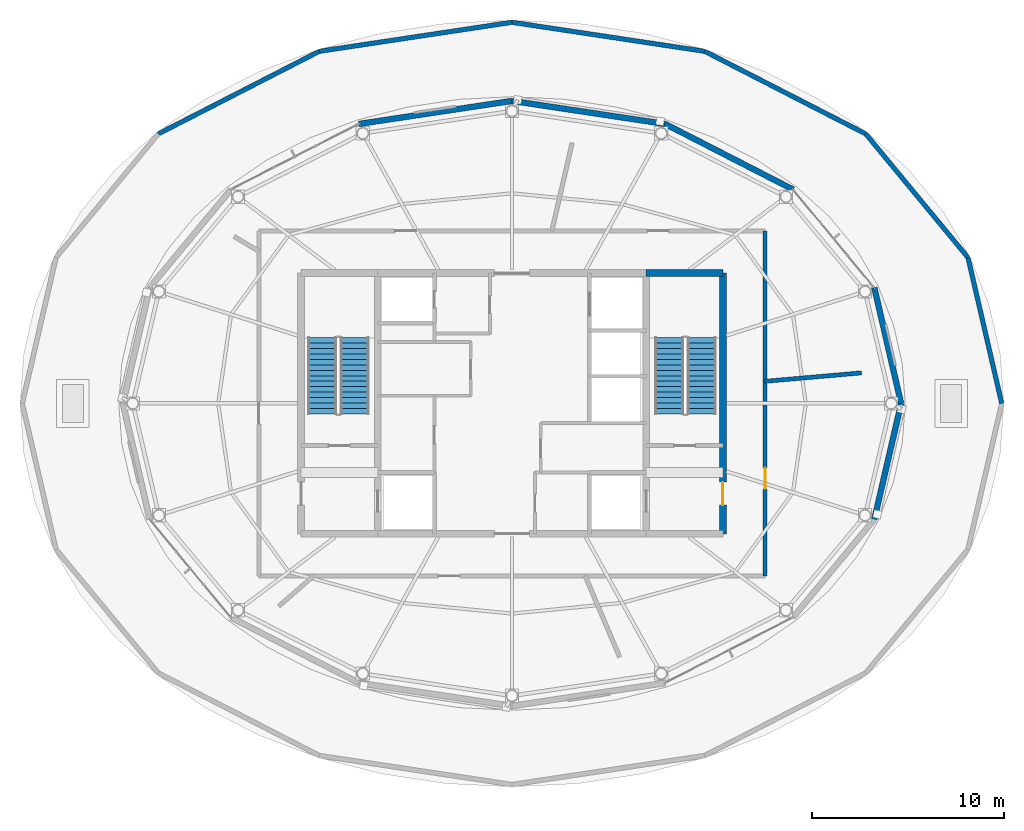
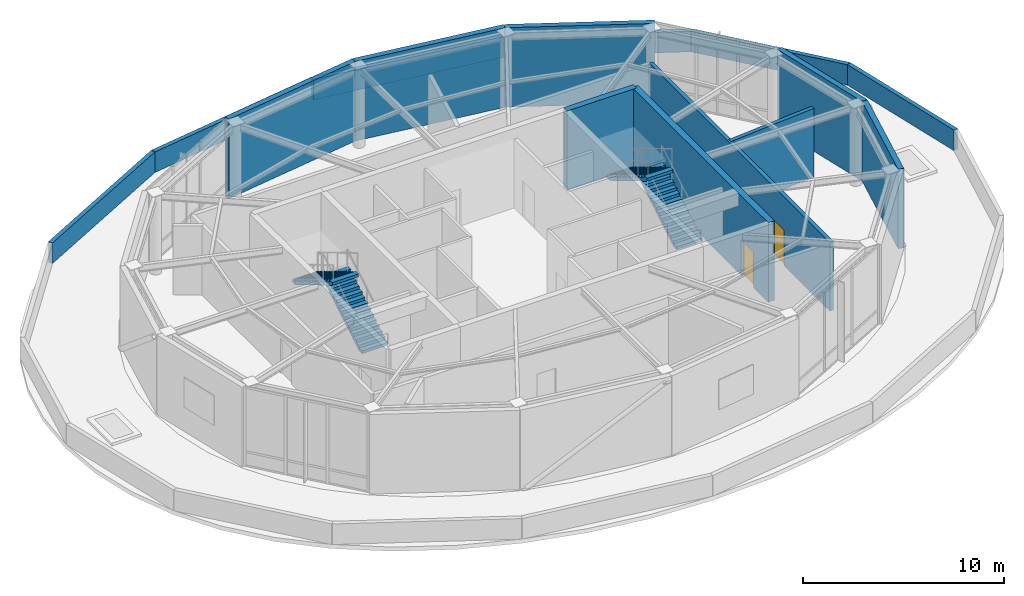
# One storey, part 14 of 15: 15 walls, 4 stair flights, 2 doors, 2 openings, 2 elements without a shape of their own.
"""IFC4 building model written with IfcOpenShell, lengths in metres."""

from ifc_helpers import new_model, si_unit, direction, frame, frame_2d, origin, place, context, subcontext, project, spatial, polyline, rectangle, outline, extrude, material, layer, layer_set, type_object, element, fill, aggregate, save


model = new_model("IFC4")

# Units and contexts
model_context = context("Model", 3, precision=1e-05, world=origin(), true_north=direction((0.0, 1.0)))
body_context = subcontext(model_context, "Body", "Model", "MODEL_VIEW")
ifc_project = project(units=[si_unit("LENGTHUNIT", "METRE"), si_unit("AREAUNIT", "SQUARE_METRE"), si_unit("VOLUMEUNIT", "CUBIC_METRE"), si_unit("PLANEANGLEUNIT", "RADIAN"), si_unit("MASSUNIT", "GRAM", prefix="KILO")], contexts=[model_context])

# Site, building, storey
site_placement = place(None, origin())
site = spatial("IfcSite", under=ifc_project, at=site_placement, CompositionType="ELEMENT")
building_placement = place(site_placement, origin())
building = spatial("IfcBuilding", under=site, at=building_placement, Name="Sarneth Arch Tower", CompositionType="ELEMENT")
storey_placement = place(building_placement, frame((0.0, 0.0, 316.5)))
storey = spatial("IfcBuildingStorey", under=building, at=storey_placement, Name="L82", CompositionType="ELEMENT", Elevation=316.5)

# Wall
ifc_material_1 = material(Name="Concrete C50/60", Category="concrete")
ifc_layer_1 = layer(ifc_material_1, 0.35009765625)
ifc_layer_set_1 = layer_set([ifc_layer_1], Name="Concrete C50/60")
wall_type_1 = type_object("IfcWallType", Name="WALL-CORE-350", PredefinedType="SHEAR", material=ifc_layer_set_1)
wall_1_placement = place(storey_placement, frame((55.0, 48.800048828125, 0.0), z_axis=(0.0, 0.0, 1.0), x_axis=(1.0, 0.0, 0.0)))
element("IfcWall", 1, at=wall_1_placement, inside=storey, type_object=wall_type_1, Name="L82 Core shear wall N-E", PredefinedType="SHEAR", context=body_context, shape_type="SweptSolid", body=[
    extrude(rectangle(XDim=4.0, YDim=0.35009765625, at=frame_2d((2.0, 0.0))), origin(), (0.0, 0.0, 1.0), 4.840087890625),
])

# Wall, opening, door
wall_2_placement = place(storey_placement, frame((59.0, 35.199951171875, 0.0), z_axis=(0.0, 0.0, 1.0), x_axis=(0.0, 1.0, 0.0)))
wall_2 = element("IfcWall", 2, at=wall_2_placement, inside=storey, type_object=wall_type_1, Name="L82 Core shear wall E", PredefinedType="SHEAR", context=body_context, shape_type="SweptSolid", body=[
    extrude(rectangle(XDim=13.60009765625, YDim=0.35009765625, at=frame_2d((6.800048828125, 0.0))), origin(), (0.0, 0.0, 1.0), 4.840087890625),
])
opening_1_placement = place(wall_2_placement, frame((1.5, 0.0, 0.0)))
opening_1 = element("IfcOpeningElement", 3, at=opening_1_placement, cuts=wall_2, Name="Opening FD-02", PredefinedType="OPENING", context=body_context, shape_type="SweptSolid", body=[
    extrude(rectangle(XDim=1.199951171875, YDim=2.14990234375, at=frame_2d((0.60009765625, 1.074951171875))), frame((0.0, 0.18505859375, 0.0), z_axis=(0.0, -1.0, 0.0), x_axis=(1.0, 0.0, 0.0)), (0.0, 0.0, 1.0), 0.3701171875),
])
ifc_material_2 = material(Name="Galvanised Steel S275 fire door set", Category="steel")
door_type_1 = type_object("IfcDoorType", Name="DR-FD90-1200", OperationType="SINGLE_SWING_LEFT", PredefinedType="DOOR", material=ifc_material_2)
door_1_placement = place(opening_1_placement, origin())
door_1 = element("IfcDoor", 4, at=door_1_placement, inside=storey, type_object=door_type_1, Name="L82 Firefighting lobby 2 exit door", OperationType="SINGLE_SWING_RIGHT", OverallHeight=2.14990234375, OverallWidth=1.199951171875, PredefinedType="DOOR", context=body_context, shape_type="SweptSolid", body=[
    extrude(rectangle(XDim=1.199951171875, YDim=2.14990234375, at=frame_2d((0.60009765625, 1.074951171875))), frame((0.0, 0.02490234375, 0.0), z_axis=(0.0, -1.0, 0.0), x_axis=(1.0, 0.0, 0.0)), (0.0, 0.0, 1.0), 0.050048828125),
])
fill(opening_1, door_1)

# Walls
ifc_material_3 = material(Name="Extruded terracotta rainscreen on Concrete C40/50 backing", Category="masonry")
ifc_layer_2 = layer(ifc_material_3, 0.300048828125)
ifc_layer_set_2 = layer_set([ifc_layer_2], Name="Extruded terracotta rainscreen on Concrete C40/50 backing")
wall_type_2 = type_object("IfcWallType", Name="WALL-EXT-ACOUST-300", PredefinedType="SOLIDWALL", material=ifc_layer_set_2)
wall_3_placement = place(storey_placement, frame((68.29541015625, 42.0, 0.0), z_axis=(0.0, 0.0, 1.0), x_axis=(-0.225604460723, 0.974218983238, 0.0)))
element("IfcWall", 5, at=wall_3_placement, inside=storey, type_object=wall_type_2, Name="L82 Terracotta perimeter wall 01", PredefinedType="SOLIDWALL", context=body_context, shape_type="SweptSolid", body=[
    extrude(rectangle(XDim=6.19873046875, YDim=0.300048828125, at=frame_2d((3.099365234375, 0.0))), origin(), (0.0, 0.0, 1.0), 4.840087890625),
])
wall_4_placement = place(storey_placement, frame((62.6611328125, 53.158203125, 0.0), z_axis=(0.0, 0.0, 1.0), x_axis=(-0.889963468701, 0.456031823866, 0.0)))
element("IfcWall", 6, at=wall_4_placement, inside=storey, type_object=wall_type_2, Name="L82 Terracotta perimeter wall 03", PredefinedType="SOLIDWALL", context=body_context, shape_type="SweptSolid", body=[
    extrude(rectangle(XDim=7.5009765625, YDim=0.300048828125, at=frame_2d((3.75048828125, 0.0))), origin(), (0.0, 0.0, 1.0), 4.840087890625),
])
for number, where, z_axis, x_axis, name in (
    (7, (55.985595703125, 56.578857421875, 0.0), (0.0, 0.0, 1.0), (-0.988875731541, 0.148744033727, 0.0), "L82 Terracotta perimeter wall 04"),
    (8, (48.0, 57.780029296875, 0.0), (0.0, 0.0, 1.0), (-0.988875731541, -0.148744033727, 0.0), "L82 Terracotta perimeter wall 05"),
):
    element("IfcWall", number, at=place(storey_placement, frame(where, z_axis=z_axis, x_axis=x_axis)), inside=storey, type_object=wall_type_2, Name=name, PredefinedType="SOLIDWALL", context=body_context, shape_type="SweptSolid", body=[
        extrude(rectangle(XDim=8.075439453125, YDim=0.300048828125, at=frame_2d((4.03759765625, 0.0))), origin(), (0.0, 0.0, 1.0), 4.840087890625),
    ])
wall_5_placement = place(storey_placement, frame((66.89697265625, 35.961181640625, 0.0), z_axis=(0.0, 0.0, 1.0), x_axis=(0.225604460723, 0.974218983238, 0.0)))
element("IfcWall", 9, at=wall_5_placement, inside=storey, type_object=wall_type_2, Name="L82 Terracotta perimeter wall 16", PredefinedType="SOLIDWALL", context=body_context, shape_type="SweptSolid", body=[
    extrude(rectangle(XDim=6.19873046875, YDim=0.300048828125, at=frame_2d((3.099365234375, 0.0))), origin(), (0.0, 0.0, 1.0), 4.840087890625),
])

# Wall, opening, door
ifc_material_4 = material(Name="Aerated concrete blockwork C25/30", Category="masonry")
ifc_layer_3 = layer(ifc_material_4, 0.219970703125)
ifc_layer_set_3 = layer_set([ifc_layer_3], Name="Aerated concrete blockwork C25/30")
wall_type_3 = type_object("IfcWallType", Name="WALL-FIRE-220", PredefinedType="SOLIDWALL", material=ifc_layer_set_3)
wall_6_placement = place(storey_placement, frame((61.199951171875, 51.0, 0.0), z_axis=(0.0, 0.0, 1.0), x_axis=(0.0, -1.0, 0.0)))
wall_6 = element("IfcWall", 10, at=wall_6_placement, inside=storey, type_object=wall_type_3, Name="L82 Interior partition W-L82-TP-008", PredefinedType="SOLIDWALL", context=body_context, shape_type="SweptSolid", body=[
    extrude(rectangle(XDim=18.0, YDim=0.219970703125, at=frame_2d((9.0, 0.0))), origin(), (0.0, 0.0, 1.0), 4.18994140625),
])
opening_2_placement = place(wall_6_placement, frame((12.356689453125, 0.0, 0.0)))
opening_2 = element("IfcOpeningElement", 11, at=opening_2_placement, cuts=wall_6, Name="Opening FD-03", PredefinedType="OPENING", context=body_context, shape_type="SweptSolid", body=[
    extrude(rectangle(XDim=1.10009765625, YDim=2.14990234375, at=frame_2d((0.550048828125, 1.074951171875))), frame((0.0, 0.119873046875, 0.0), z_axis=(0.0, -1.0, 0.0), x_axis=(1.0, 0.0, 0.0)), (0.0, 0.0, 1.0), 0.239990234375),
])
ifc_material_5 = material(Name="Galvanised Steel S275 fire door set", Category="steel")
door_type_2 = type_object("IfcDoorType", Name="DR-FD90-1100", OperationType="SINGLE_SWING_LEFT", PredefinedType="DOOR", material=ifc_material_5)
door_2_placement = place(opening_2_placement, origin())
door_2 = element("IfcDoor", 12, at=door_2_placement, inside=storey, type_object=door_type_2, Name="L82 Interior door DR-L82-PSEC-5", OperationType="SINGLE_SWING_RIGHT", OverallHeight=2.14990234375, OverallWidth=1.10009765625, PredefinedType="DOOR", context=body_context, shape_type="SweptSolid", body=[
    extrude(rectangle(XDim=1.10009765625, YDim=2.14990234375, at=frame_2d((0.550048828125, 1.074951171875))), frame((0.0, 0.02490234375, 0.0), z_axis=(0.0, -1.0, 0.0), x_axis=(1.0, 0.0, 0.0)), (0.0, 0.0, 1.0), 0.050048828125),
])
fill(opening_2, door_2)

# Walls
wall_7_placement = place(storey_placement, frame((61.199951171875, 43.15478515625, 0.0), z_axis=(0.0, 0.0, 1.0), x_axis=(0.996193665049, 0.08716754968, 0.0)))
element("IfcWall", 13, at=wall_7_placement, inside=storey, type_object=wall_type_3, Name="L82 Interior partition W-L82-TP-011", PredefinedType="SOLIDWALL", context=body_context, shape_type="SweptSolid", body=[
    extrude(rectangle(XDim=5.052734375, YDim=0.219970703125, at=frame_2d((2.5263671875, 0.0))), origin(), (0.0, 0.0, 1.0), 4.18994140625),
])
ifc_material_6 = material(Name="Extruded terracotta rainscreen on Concrete C40/50 backing", Category="masonry")
ifc_layer_4 = layer(ifc_material_6, 0.239990234375)
ifc_layer_set_4 = layer_set([ifc_layer_4], Name="Extruded terracotta rainscreen on Concrete C40/50 backing")
wall_type_4 = type_object("IfcWallType", Name="WALL-PARAPET-240", PredefinedType="PARAPET", material=ifc_layer_set_4)
wall_8_placement = place(storey_placement, frame((73.544189453125, 42.0, 0.0), z_axis=(0.0, 0.0, 1.0), x_axis=(-0.22539379869, 0.974267743237, 0.0)))
element("IfcWall", 14, at=wall_8_placement, inside=storey, type_object=wall_type_4, Name="L82 Setback roof parapet 01", PredefinedType="PARAPET", context=body_context, shape_type="SweptSolid", body=[
    extrude(rectangle(XDim=7.80859375, YDim=0.239990234375, at=frame_2d((3.904296875, 0.0))), origin(), (0.0, 0.0, 1.0), 1.25),
])
wall_9_placement = place(storey_placement, frame((71.7841796875, 49.607666015625, 0.0), z_axis=(0.0, 0.0, 1.0), x_axis=(-0.637131731546, 0.770754926457, 0.0)))
element("IfcWall", 15, at=wall_9_placement, inside=storey, type_object=wall_type_4, Name="L82 Setback roof parapet 02", PredefinedType="PARAPET", context=body_context, shape_type="SweptSolid", body=[
    extrude(rectangle(XDim=8.367919921875, YDim=0.239990234375, at=frame_2d((4.18408203125, 0.0))), origin(), (0.0, 0.0, 1.0), 1.25),
])
wall_10_placement = place(storey_placement, frame((66.45263671875, 56.057373046875, 0.0), z_axis=(0.0, 0.0, 1.0), x_axis=(-0.88978811959, 0.456373862349, 0.0)))
element("IfcWall", 16, at=wall_10_placement, inside=storey, type_object=wall_type_4, Name="L82 Setback roof parapet 03", PredefinedType="PARAPET", context=body_context, shape_type="SweptSolid", body=[
    extrude(rectangle(XDim=9.442626953125, YDim=0.239990234375, at=frame_2d((4.72119140625, 0.0))), origin(), (0.0, 0.0, 1.0), 1.25),
])
for number, where, z_axis, x_axis, name in (
    (17, (58.05078125, 60.36669921875, 0.0), (0.0, 0.0, 1.0), (-0.988855867052, 0.148876036339, 0.0), "L82 Setback roof parapet 04"),
    (18, (48.0, 61.8798828125, 0.0), (0.0, 0.0, 1.0), (-0.988855867052, -0.148876036339, 0.0), "L82 Setback roof parapet 05"),
):
    element("IfcWall", number, at=place(storey_placement, frame(where, z_axis=z_axis, x_axis=x_axis)), inside=storey, type_object=wall_type_4, Name=name, PredefinedType="PARAPET", context=body_context, shape_type="SweptSolid", body=[
        extrude(rectangle(XDim=10.1640625, YDim=0.239990234375, at=frame_2d((5.08203125, 0.0))), origin(), (0.0, 0.0, 1.0), 1.25),
    ])
wall_11_placement = place(storey_placement, frame((37.94921875, 60.36669921875, 0.0), z_axis=(0.0, 0.0, 1.0), x_axis=(-0.88978811959, -0.456373862349, 0.0)))
element("IfcWall", 19, at=wall_11_placement, inside=storey, type_object=wall_type_4, Name="L82 Setback roof parapet 06", PredefinedType="PARAPET", context=body_context, shape_type="SweptSolid", body=[
    extrude(rectangle(XDim=9.442626953125, YDim=0.239990234375, at=frame_2d((4.72119140625, 0.0))), origin(), (0.0, 0.0, 1.0), 1.25),
])

# Stair, stair flights
ifc_material_7 = material(Name="Concrete C50/60", Category="concrete")
stair_type = type_object("IfcStairType", Name="STAIR-CORE-RC", PredefinedType="HALF_TURN_STAIR", material=ifc_material_7)
stair_1_placement = place(storey_placement, origin())
stair_1 = element("IfcStair", 20, at=stair_1_placement, inside=storey, type_object=stair_type, Name="L82 Core Exit Stair 1", PredefinedType="HALF_TURN_STAIR")
ifc_material_8 = material(Name="Concrete C50/60", Category="concrete")
stair_flight_type = type_object("IfcStairFlightType", Name="FLIGHT-RC-1500", PredefinedType="STRAIGHT", material=ifc_material_8)
stair_flight_1_placement = place(storey_placement, frame((39.800048828125, 41.449951171875, 0.0), z_axis=(0.0, 0.0, 1.0), x_axis=(0.0, 1.0, 0.0)))
stair_flight_1 = element("IfcStairFlight", 21, at=stair_flight_1_placement, type_object=stair_flight_type, Name="ST-1 flight 1", NumberOfRisers=15, NumberOfTreads=14, PredefinedType="STRAIGHT", RiserHeight=0.17, TreadLength=0.285, context=body_context, shape_type="SweptSolid", body=[
    extrude(outline(polyline([(0.0, 0.0), (0.0, 0.169921875), (0.284912109375, 0.169921875), (0.284912109375, 0.340087890625), (0.570068359375, 0.340087890625), (0.570068359375, 0.510009765625), (0.85498046875, 0.510009765625), (0.85498046875, 0.679931640625), (1.139892578125, 0.679931640625), (1.139892578125, 0.85009765625), (1.425048828125, 0.85009765625), (1.425048828125, 1.02001953125), (1.7099609375, 1.02001953125), (1.7099609375, 1.18994140625), (1.9951171875, 1.18994140625), (1.9951171875, 1.360107421875), (2.280029296875, 1.360107421875), (2.280029296875, 1.530029296875), (2.56494140625, 1.530029296875), (2.56494140625, 1.699951171875), (2.85009765625, 1.699951171875), (2.85009765625, 1.8701171875), (3.135009765625, 1.8701171875), (3.135009765625, 2.0400390625), (3.419921875, 2.0400390625), (3.419921875, 2.2099609375), (3.705078125, 2.2099609375), (3.705078125, 2.3798828125), (3.989990234375, 2.3798828125), (3.989990234375, 2.550048828125), (3.989990234375, 2.20556640625), (0.292724609375, 0.0), (0.0, 0.0)])), frame((0.0, 0.75, 0.0), z_axis=(0.0, -1.0, 0.0), x_axis=(1.0, 0.0, 0.0)), (0.0, 0.0, 1.0), 1.5),
])
stair_flight_2_placement = place(storey_placement, frame((38.10009765625, 45.43994140625, 2.550048828125), z_axis=(0.0, 0.0, 1.0), x_axis=(0.0, -1.0, 0.0)))
stair_flight_2 = element("IfcStairFlight", 22, at=stair_flight_2_placement, type_object=stair_flight_type, Name="ST-1 flight 2", NumberOfRisers=15, NumberOfTreads=14, PredefinedType="STRAIGHT", RiserHeight=0.17, TreadLength=0.285, context=body_context, shape_type="SweptSolid", body=[
    extrude(outline(polyline([(0.0, 0.0), (0.0, 0.169921875), (0.284912109375, 0.169921875), (0.284912109375, 0.340087890625), (0.570068359375, 0.340087890625), (0.570068359375, 0.510009765625), (0.85498046875, 0.510009765625), (0.85498046875, 0.679931640625), (1.139892578125, 0.679931640625), (1.139892578125, 0.85009765625), (1.425048828125, 0.85009765625), (1.425048828125, 1.02001953125), (1.7099609375, 1.02001953125), (1.7099609375, 1.18994140625), (1.9951171875, 1.18994140625), (1.9951171875, 1.360107421875), (2.280029296875, 1.360107421875), (2.280029296875, 1.530029296875), (2.56494140625, 1.530029296875), (2.56494140625, 1.699951171875), (2.85009765625, 1.699951171875), (2.85009765625, 1.8701171875), (3.135009765625, 1.8701171875), (3.135009765625, 2.0400390625), (3.419921875, 2.0400390625), (3.419921875, 2.2099609375), (3.705078125, 2.2099609375), (3.705078125, 2.3798828125), (3.989990234375, 2.3798828125), (3.989990234375, 2.550048828125), (3.989990234375, 2.20556640625), (0.292724609375, 0.0), (0.0, 0.0)])), frame((0.0, 0.75, 0.0), z_axis=(0.0, -1.0, 0.0), x_axis=(1.0, 0.0, 0.0)), (0.0, 0.0, 1.0), 1.5),
])
aggregate(stair_1, [stair_flight_1, stair_flight_2])

stair_2_placement = place(storey_placement, origin())
stair_2 = element("IfcStair", 23, at=stair_2_placement, inside=storey, type_object=stair_type, Name="L82 Core Exit Stair 2", PredefinedType="HALF_TURN_STAIR")
stair_flight_3_placement = place(storey_placement, frame((57.89990234375, 41.449951171875, 0.0), z_axis=(0.0, 0.0, 1.0), x_axis=(0.0, 1.0, 0.0)))
stair_flight_3 = element("IfcStairFlight", 24, at=stair_flight_3_placement, type_object=stair_flight_type, Name="ST-2 flight 1", NumberOfRisers=15, NumberOfTreads=14, PredefinedType="STRAIGHT", RiserHeight=0.17, TreadLength=0.285, context=body_context, shape_type="SweptSolid", body=[
    extrude(outline(polyline([(0.0, 0.0), (0.0, 0.169921875), (0.284912109375, 0.169921875), (0.284912109375, 0.340087890625), (0.570068359375, 0.340087890625), (0.570068359375, 0.510009765625), (0.85498046875, 0.510009765625), (0.85498046875, 0.679931640625), (1.139892578125, 0.679931640625), (1.139892578125, 0.85009765625), (1.425048828125, 0.85009765625), (1.425048828125, 1.02001953125), (1.7099609375, 1.02001953125), (1.7099609375, 1.18994140625), (1.9951171875, 1.18994140625), (1.9951171875, 1.360107421875), (2.280029296875, 1.360107421875), (2.280029296875, 1.530029296875), (2.56494140625, 1.530029296875), (2.56494140625, 1.699951171875), (2.85009765625, 1.699951171875), (2.85009765625, 1.8701171875), (3.135009765625, 1.8701171875), (3.135009765625, 2.0400390625), (3.419921875, 2.0400390625), (3.419921875, 2.2099609375), (3.705078125, 2.2099609375), (3.705078125, 2.3798828125), (3.989990234375, 2.3798828125), (3.989990234375, 2.550048828125), (3.989990234375, 2.20556640625), (0.292724609375, 0.0), (0.0, 0.0)])), frame((0.0, 0.75, 0.0), z_axis=(0.0, -1.0, 0.0), x_axis=(1.0, 0.0, 0.0)), (0.0, 0.0, 1.0), 1.5),
])
stair_flight_4_placement = place(storey_placement, frame((56.199951171875, 45.43994140625, 2.550048828125), z_axis=(0.0, 0.0, 1.0), x_axis=(0.0, -1.0, 0.0)))
stair_flight_4 = element("IfcStairFlight", 25, at=stair_flight_4_placement, type_object=stair_flight_type, Name="ST-2 flight 2", NumberOfRisers=15, NumberOfTreads=14, PredefinedType="STRAIGHT", RiserHeight=0.17, TreadLength=0.285, context=body_context, shape_type="SweptSolid", body=[
    extrude(outline(polyline([(0.0, 0.0), (0.0, 0.169921875), (0.284912109375, 0.169921875), (0.284912109375, 0.340087890625), (0.570068359375, 0.340087890625), (0.570068359375, 0.510009765625), (0.85498046875, 0.510009765625), (0.85498046875, 0.679931640625), (1.139892578125, 0.679931640625), (1.139892578125, 0.85009765625), (1.425048828125, 0.85009765625), (1.425048828125, 1.02001953125), (1.7099609375, 1.02001953125), (1.7099609375, 1.18994140625), (1.9951171875, 1.18994140625), (1.9951171875, 1.360107421875), (2.280029296875, 1.360107421875), (2.280029296875, 1.530029296875), (2.56494140625, 1.530029296875), (2.56494140625, 1.699951171875), (2.85009765625, 1.699951171875), (2.85009765625, 1.8701171875), (3.135009765625, 1.8701171875), (3.135009765625, 2.0400390625), (3.419921875, 2.0400390625), (3.419921875, 2.2099609375), (3.705078125, 2.2099609375), (3.705078125, 2.3798828125), (3.989990234375, 2.3798828125), (3.989990234375, 2.550048828125), (3.989990234375, 2.20556640625), (0.292724609375, 0.0), (0.0, 0.0)])), frame((0.0, 0.75, 0.0), z_axis=(0.0, -1.0, 0.0), x_axis=(1.0, 0.0, 0.0)), (0.0, 0.0, 1.0), 1.5),
])
aggregate(stair_2, [stair_flight_3, stair_flight_4])

save(model, "model.ifc")
